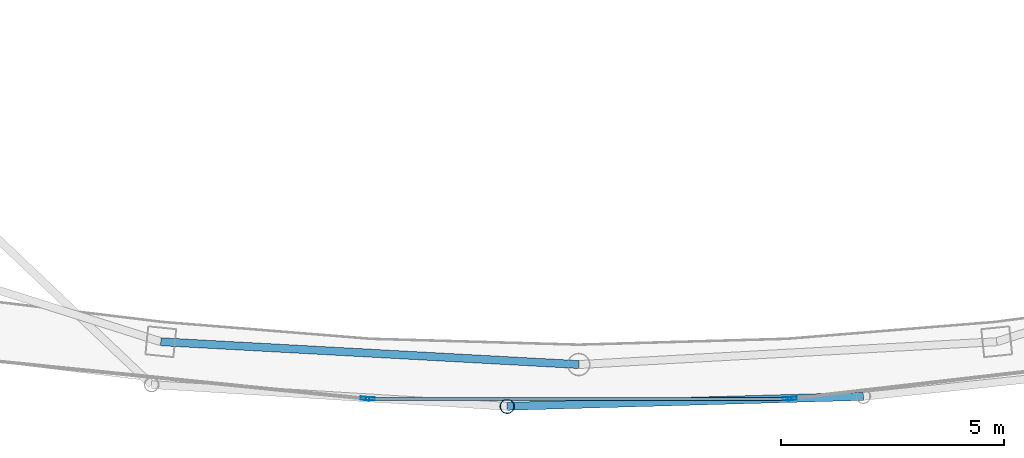
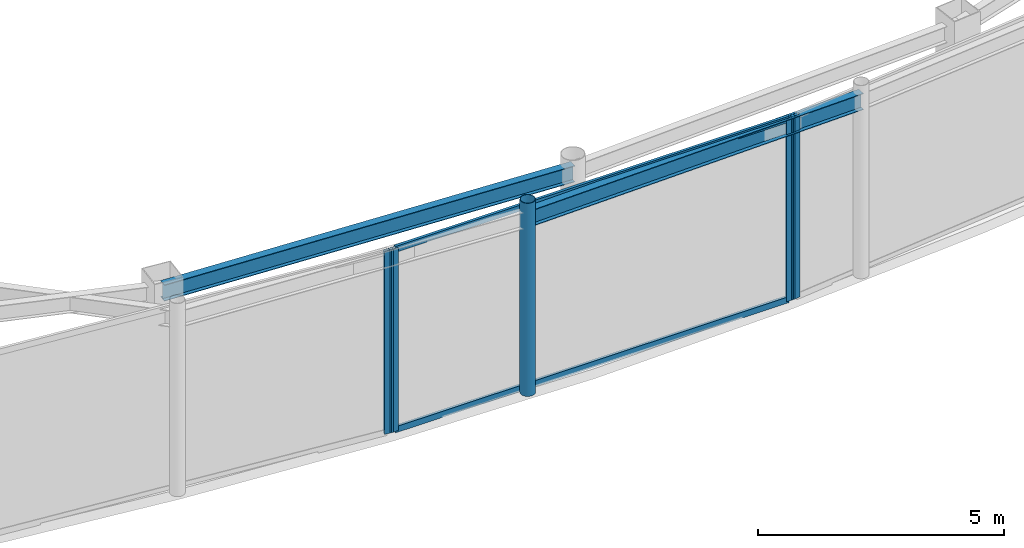
# One storey, part 6 of 19: 7 members, 2 beams, 3 elements without a shape of their own.
"""IFC4 building model written with IfcOpenShell, lengths in metres."""

from ifc_helpers import new_model, si_unit, direction, frame, origin, origin_2d, place, context, subcontext, project, spatial, hollow_rectangle, hollow_circle, i_section, extrude, material, layer, layer_set, material_profile, profile_set, type_object, element, aggregate, save


model = new_model("IFC4")

# Units and contexts
model_context = context("Model", 3, precision=1e-05, world=origin(), true_north=direction((0.0, 1.0)))
body_context = subcontext(model_context, "Body", "Model", "MODEL_VIEW")
ifc_project = project(units=[si_unit("LENGTHUNIT", "METRE"), si_unit("AREAUNIT", "SQUARE_METRE"), si_unit("VOLUMEUNIT", "CUBIC_METRE"), si_unit("PLANEANGLEUNIT", "RADIAN"), si_unit("MASSUNIT", "GRAM", prefix="KILO")], contexts=[model_context])

# Site, building, storey
site_placement = place(None, origin())
site = spatial("IfcSite", under=ifc_project, at=site_placement, CompositionType="ELEMENT")
building_placement = place(site_placement, origin())
building = spatial("IfcBuilding", under=site, at=building_placement, Name="Orvanel Arch Residences", CompositionType="ELEMENT")
storey_placement = place(building_placement, frame((0.0, 0.0, 295.699951171875)))
storey = spatial("IfcBuildingStorey", under=building, at=storey_placement, Name="L83", CompositionType="ELEMENT", Elevation=295.699951171875)

# Curtain wall, member
ifc_material_1 = material(Name="Bronze-anodised aluminium AA6063-T6", Category="aluminium")
ifc_layer = layer(ifc_material_1, 0.2099609375)
ifc_layer_set = layer_set([ifc_layer], Name="Bronze-anodised aluminium AA6063-T6")
curtain_wall_type = type_object("IfcCurtainWallType", Name="CW7-TOP-SYS", PredefinedType="NOTDEFINED", material=ifc_layer_set)
curtain_wall_1_placement = place(storey_placement, origin())
curtain_wall_1 = element("IfcCurtainWall", 1, at=curtain_wall_1_placement, inside=storey, type_object=curtain_wall_type, Name="L83 CW7-TOP-SYS Unitised Curtain Wall", PredefinedType="NOTDEFINED")
ifc_material_profile_1 = material_profile(ifc_material_1, hollow_rectangle(XDim=0.074951171875, YDim=0.199951171875, WallThickness=0.0048828125, at=origin_2d()), Name="ALU200x75x5")
ifc_profile_set_1 = profile_set([ifc_material_profile_1], Name="Bronze-anodised aluminium AA6063-T6")
member_type_1 = type_object("IfcMemberType", Name="MUL-200x75", PredefinedType="MULLION", material=ifc_profile_set_1)
member_1_placement = place(storey_placement, frame((28.2216796875, 6.083740234375, 0.0), z_axis=(0.0, 0.0, 1.0), x_axis=(0.10054103466, 0.994932912487, 0.0)))
member_1 = element("IfcMember", 2, at=member_1_placement, type_object=member_type_1, Name="CW-S7 mullion 2", PredefinedType="MULLION", context=body_context, shape_type="SweptSolid", body=[
    extrude(hollow_rectangle(XDim=0.074951171875, YDim=0.199951171875, WallThickness=0.0048828125, at=origin_2d()), origin(), (0.0, 0.0, 1.0), 4.550048828125),
])
aggregate(curtain_wall_1, [member_1])

# Curtain wall, members
curtain_wall_2_placement = place(storey_placement, origin())
curtain_wall_2 = element("IfcCurtainWall", 3, at=curtain_wall_2_placement, inside=storey, type_object=curtain_wall_type, Name="L83 CW7-TOP-SYS Unitised Curtain Wall", PredefinedType="NOTDEFINED")
member_2_placement = place(storey_placement, frame((28.33642578125, 6.077880859375, 0.0), z_axis=(0.0, 0.0, 1.0), x_axis=(0.0, 1.0, 0.0)))
member_2 = element("IfcMember", 4, at=member_2_placement, type_object=member_type_1, Name="CW-S7 mullion 1", PredefinedType="MULLION", context=body_context, shape_type="SweptSolid", body=[
    extrude(hollow_rectangle(XDim=0.074951171875, YDim=0.199951171875, WallThickness=0.0048828125, at=origin_2d()), origin(), (0.0, 0.0, 1.0), 4.550048828125),
])
member_3_placement = place(storey_placement, frame((37.66357421875, 6.077880859375, 0.0), z_axis=(0.0, 0.0, 1.0), x_axis=(0.0, 1.0, 0.0)))
member_3 = element("IfcMember", 5, at=member_3_placement, type_object=member_type_1, Name="CW-S7 mullion 2", PredefinedType="MULLION", context=body_context, shape_type="SweptSolid", body=[
    extrude(hollow_rectangle(XDim=0.074951171875, YDim=0.199951171875, WallThickness=0.0048828125, at=origin_2d()), origin(), (0.0, 0.0, 1.0), 4.550048828125),
])

# Curtain wall, member
curtain_wall_3_placement = place(storey_placement, origin())
curtain_wall_3 = element("IfcCurtainWall", 6, at=curtain_wall_3_placement, inside=storey, type_object=curtain_wall_type, Name="L83 CW7-TOP-SYS Unitised Curtain Wall", PredefinedType="NOTDEFINED")
member_4_placement = place(storey_placement, frame((37.7783203125, 6.084228515625, 0.0), z_axis=(0.0, 0.0, 1.0), x_axis=(-0.11424494002, 0.9934526127, 0.0)))
member_4 = element("IfcMember", 7, at=member_4_placement, type_object=member_type_1, Name="CW-S7 mullion 1", PredefinedType="MULLION", context=body_context, shape_type="SweptSolid", body=[
    extrude(hollow_rectangle(XDim=0.074951171875, YDim=0.199951171875, WallThickness=0.0048828125, at=origin_2d()), origin(), (0.0, 0.0, 1.0), 4.550048828125),
])
aggregate(curtain_wall_3, [member_4])

# Beams
ifc_material_2 = material(Name="Structural steel AS/NZS 3679.1 Grade 300 (300 MPa)", Category="steel")
ifc_material_profile_2 = material_profile(ifc_material_2, i_section(OverallWidth=0.177978515625, OverallDepth=0.406005859375, WebThickness=0.0078125, FlangeThickness=0.0126953125, at=origin_2d()), Name="410UB59.7")
ifc_profile_set_2 = profile_set([ifc_material_profile_2], Name="Structural steel AS/NZS 3679.1 Grade 300 (300 MPa)")
beam_type_1 = type_object("IfcBeamType", Name="OB-410UB", PredefinedType="SPANDREL", material=ifc_profile_set_2)
beam_1_placement = place(storey_placement, frame((23.64892578125, 7.35498046875, 4.34716796875), z_axis=(0.998510315598, -0.054563262768, 0.0), x_axis=(0.054563262768, 0.998510315598, 0.0)))
element("IfcBeam", 8, at=beam_1_placement, inside=storey, type_object=beam_type_1, Name="L83 Perimeter Spandrel Beam 03", PredefinedType="SPANDREL", context=body_context, shape_type="SweptSolid", body=[
    extrude(i_section(OverallWidth=0.177978515625, OverallDepth=0.406005859375, WebThickness=0.0078125, FlangeThickness=0.0126953125, at=origin_2d()), origin(), (0.0, 0.0, 1.0), 9.364990234375),
])
ifc_material_profile_3 = material_profile(ifc_material_2, i_section(OverallWidth=0.177978515625, OverallDepth=0.406005859375, WebThickness=0.0078125, FlangeThickness=0.0126953125, at=origin_2d()), Name="410UB59.7")
ifc_profile_set_3 = profile_set([ifc_material_profile_3], Name="Structural steel AS/NZS 3679.1 Grade 300 (300 MPa)")
beam_type_2 = type_object("IfcBeamType", Name="OB-410UB-EXT", PredefinedType="SPANDREL", material=ifc_profile_set_3)
beam_2_placement = place(storey_placement, frame((31.39892578125, 5.908935546875, 4.34716796875), z_axis=(0.999611510585, 0.027871632645, 0.0), x_axis=(-0.027871632645, 0.999611510585, 0.0)))
element("IfcBeam", 9, at=beam_2_placement, inside=storey, type_object=beam_type_2, Name="L83 Outer Perimeter Floor Ring Beam 06", PredefinedType="SPANDREL", context=body_context, shape_type="SweptSolid", body=[
    extrude(i_section(OverallWidth=0.177978515625, OverallDepth=0.406005859375, WebThickness=0.0078125, FlangeThickness=0.0126953125, at=origin_2d()), origin(), (0.0, 0.0, 1.0), 7.97119140625),
])

# Member
ifc_material_3 = material(Name="Structural steel AS/NZS 1163 C350L0 (Grade 350)", Category="steel")
ifc_material_profile_4 = material_profile(ifc_material_3, hollow_circle(Radius=0.162109375, WallThickness=0.0126953125, at=origin_2d()), Name="CHS324x12.7")
ifc_profile_set_4 = profile_set([ifc_material_profile_4], Name="Structural steel AS/NZS 1163 C350L0 (Grade 350)")
member_type_2 = type_object("IfcMemberType", Name="ST-324CHS-EXT", PredefinedType="STRUT", material=ifc_profile_set_4)
member_5_placement = place(storey_placement, frame((31.39892578125, 5.908935546875, 0.0), z_axis=(0.0, 0.0, 1.0), x_axis=(1.0, 0.0, 0.0)))
element("IfcMember", 10, at=member_5_placement, inside=storey, type_object=member_type_2, Name="L83 Outer Perimeter Frame Post 06", PredefinedType="STRUT", context=body_context, shape_type="SweptSolid", body=[
    extrude(hollow_circle(Radius=0.162109375, WallThickness=0.0126953125, at=origin_2d()), origin(), (0.0, 0.0, 1.0), 4.800048828125),
])

ifc_material_profile_5 = material_profile(ifc_material_1, hollow_rectangle(XDim=0.06494140625, YDim=0.14990234375, WallThickness=0.00390625, at=origin_2d()), Name="ALU150x65x4")
ifc_profile_set_5 = profile_set([ifc_material_profile_5], Name="Bronze-anodised aluminium AA6063-T6")
member_type_3 = type_object("IfcMemberType", Name="TRN-150x65", PredefinedType="USERDEFINED", material=ifc_profile_set_5)
member_6_placement = place(storey_placement, frame((28.3740234375, 6.077880859375, 0.032470703125), z_axis=(1.0, 0.0, 0.0), x_axis=(0.0, 1.0, 0.0)))
member_6 = element("IfcMember", 11, at=member_6_placement, type_object=member_type_3, Name="CW-S7 transom 1.1", ObjectType="TRANSOM", PredefinedType="USERDEFINED", context=body_context, shape_type="SweptSolid", body=[
    extrude(hollow_rectangle(XDim=0.06494140625, YDim=0.14990234375, WallThickness=0.00390625, at=origin_2d()), origin(), (0.0, 0.0, 1.0), 9.251953125),
])

member_7_placement = place(storey_placement, frame((28.3740234375, 6.077880859375, 4.517578125), z_axis=(1.0, 0.0, 0.0), x_axis=(0.0, 1.0, 0.0)))
member_7 = element("IfcMember", 12, at=member_7_placement, type_object=member_type_3, Name="CW-S7 transom 1.2", ObjectType="TRANSOM", PredefinedType="USERDEFINED", context=body_context, shape_type="SweptSolid", body=[
    extrude(hollow_rectangle(XDim=0.06494140625, YDim=0.14990234375, WallThickness=0.00390625, at=origin_2d()), origin(), (0.0, 0.0, 1.0), 9.251953125),
])

aggregate(curtain_wall_2, [member_2, member_3, member_6, member_7])

save(model, "model.ifc")
